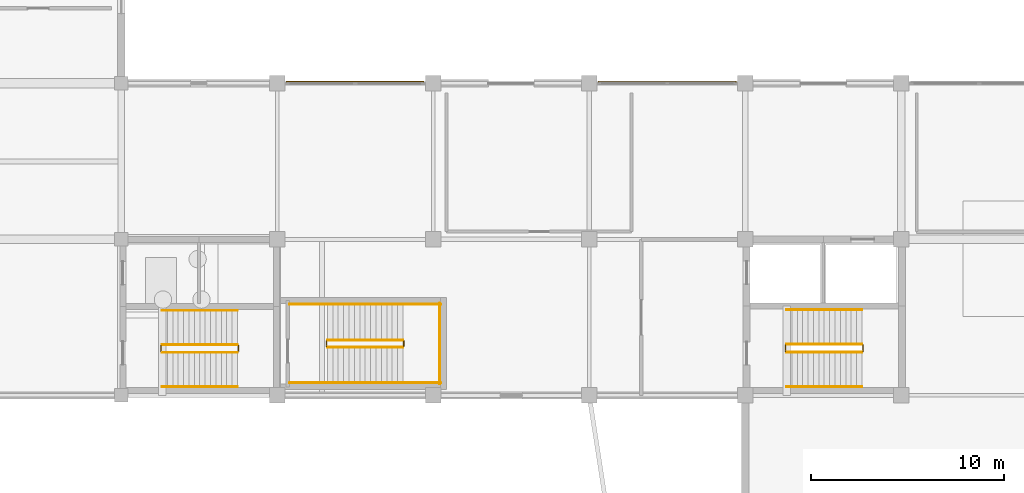
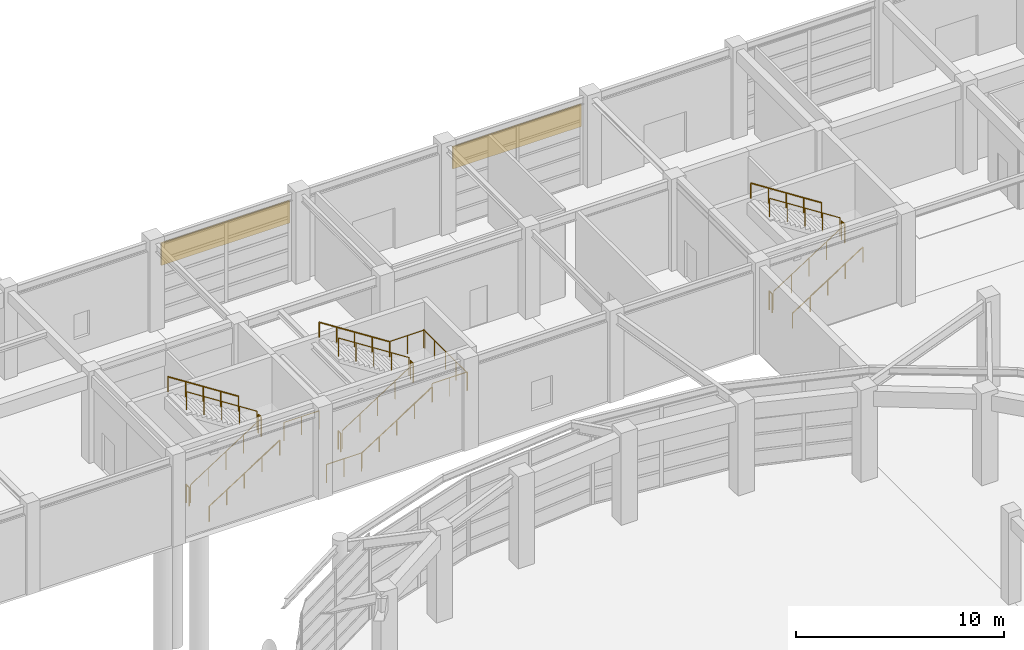
# One storey, part 49 of 52: 23 railings, 2 shading devices.
"""IFC4 building model written with IfcOpenShell, lengths in metres."""

from ifc_helpers import new_model, si_unit, direction, frame, origin, origin_2d, place, context, subcontext, project, spatial, rectangle, circle, extrude, material, layer, layer_set, type_object, element, save


model = new_model("IFC4")

# Units and contexts
model_context = context("Model", 3, precision=1e-05, world=origin(), true_north=direction((0.0, 1.0)))
body_context = subcontext(model_context, "Body", "Model", "MODEL_VIEW")
ifc_project = project(units=[si_unit("LENGTHUNIT", "METRE"), si_unit("AREAUNIT", "SQUARE_METRE"), si_unit("VOLUMEUNIT", "CUBIC_METRE"), si_unit("PLANEANGLEUNIT", "RADIAN"), si_unit("MASSUNIT", "GRAM", prefix="KILO")], contexts=[model_context])

# Site, building, storey
site_placement = place(None, origin())
site = spatial("IfcSite", under=ifc_project, at=site_placement, CompositionType="ELEMENT")
building_placement = place(site_placement, origin())
building = spatial("IfcBuilding", under=site, at=building_placement, Name="Parian Resonance Hall", CompositionType="ELEMENT")
storey_placement = place(building_placement, origin())
storey = spatial("IfcBuildingStorey", under=building, at=storey_placement, Name="L00", CompositionType="ELEMENT", Elevation=0.0)

# Railings
ifc_material_1 = material(Name="Patinated bronze whiplash metalwork")
railing_type_1 = type_object("IfcRailingType", Name="RAIL-HALL-BAL-1120", PredefinedType="BALUSTRADE", material=ifc_material_1)
railing_1_placement = place(storey_placement, frame((35.010009765625, 75.409912109375, 0.179931640625)))
element("IfcRailing", 1, at=railing_1_placement, inside=storey, type_object=railing_type_1, Name="L00 ST-07 stair guard 1", PredefinedType="BALUSTRADE", context=body_context, shape_type="SweptSolid", body=[
    extrude(circle(Radius=0.02392578125, at=origin_2d()), frame((0.0, 0.0, 1.076171875), z_axis=(0.841171666519, 0.0, 0.540768182723), x_axis=(0.0, 1.0, 0.0)), (0.0, 0.0, 1.0), 4.66015625),
    extrude(circle(Radius=0.02099609375, at=origin_2d()), origin(), (0.0, 0.0, 1.0), 1.052001953125),
    extrude(circle(Radius=0.02099609375, at=origin_2d()), frame((0.97998046875, 0.0, 0.6298828125)), (0.0, 0.0, 1.0), 1.052001953125),
    extrude(circle(Radius=0.02099609375, at=origin_2d()), frame((1.9599609375, 0.0, 1.260009765625)), (0.0, 0.0, 1.0), 1.052001953125),
    extrude(circle(Radius=0.02099609375, at=origin_2d()), frame((2.93994140625, 0.0, 1.89013671875)), (0.0, 0.0, 1.0), 1.052001953125),
    extrude(circle(Radius=0.02099609375, at=origin_2d()), frame((3.919921875, 0.0, 2.52001953125)), (0.0, 0.0, 1.0), 1.052001953125),
])
railing_2_placement = place(storey_placement, frame((38.97998046875, 75.4599609375, 2.699951171875)))
element("IfcRailing", 2, at=railing_2_placement, inside=storey, type_object=railing_type_1, Name="L00 ST-07 stair guard 2", PredefinedType="BALUSTRADE", context=body_context, shape_type="SweptSolid", body=[
    extrude(circle(Radius=0.02392578125, at=origin_2d()), frame((0.0, 0.0, 1.076171875), z_axis=(0.0, 1.0, 0.0), x_axis=(-1.0, 0.0, 0.0)), (0.0, 0.0, 1.0), 0.260009765625),
    extrude(circle(Radius=0.02099609375, at=origin_2d()), origin(), (0.0, 0.0, 1.0), 1.052001953125),
    extrude(circle(Radius=0.02099609375, at=origin_2d()), frame((0.0, 0.260009765625, 0.0)), (0.0, 0.0, 1.0), 1.052001953125),
])
for number, where, name in (
    (3, (38.929931640625, 73.550048828125, 2.699951171875), "L00 ST-07 stair guard 3"),
    (4, (38.929931640625, 77.6298828125, 2.699951171875), "L00 ST-07 stair guard 4"),
):
    element("IfcRailing", number, at=place(storey_placement, frame(where)), inside=storey, type_object=railing_type_1, Name=name, PredefinedType="BALUSTRADE", context=body_context, shape_type="SweptSolid", body=[
        extrude(circle(Radius=0.02392578125, at=origin_2d()), frame((0.0, 0.0, 1.076171875), z_axis=(1.0, 0.0, 0.0), x_axis=(0.0, 1.0, 0.0)), (0.0, 0.0, 1.0), 1.9599609375),
        extrude(circle(Radius=0.02099609375, at=origin_2d()), origin(), (0.0, 0.0, 1.0), 1.052001953125),
        extrude(circle(Radius=0.02099609375, at=origin_2d()), frame((0.97998046875, 0.0, 0.0)), (0.0, 0.0, 1.0), 1.052001953125),
        extrude(circle(Radius=0.02099609375, at=origin_2d()), frame((1.9599609375, 0.0, 0.0)), (0.0, 0.0, 1.0), 1.052001953125),
    ])
railing_3_placement = place(storey_placement, frame((40.840087890625, 73.5, 2.699951171875)))
element("IfcRailing", 5, at=railing_3_placement, inside=storey, type_object=railing_type_1, Name="L00 ST-07 stair guard 5", PredefinedType="BALUSTRADE", context=body_context, shape_type="SweptSolid", body=[
    extrude(circle(Radius=0.02392578125, at=origin_2d()), frame((0.0, 0.0, 1.076171875), z_axis=(0.0, 1.0, 0.0), x_axis=(-1.0, 0.0, 0.0)), (0.0, 0.0, 1.0), 4.179931640625),
    extrude(circle(Radius=0.02099609375, at=origin_2d()), origin(), (0.0, 0.0, 1.0), 1.052001953125),
    extrude(circle(Radius=0.02099609375, at=origin_2d()), frame((0.0, 1.044921875, 0.0)), (0.0, 0.0, 1.0), 1.052001953125),
    extrude(circle(Radius=0.02099609375, at=origin_2d()), frame((0.0, 2.08984375, 0.0)), (0.0, 0.0, 1.0), 1.052001953125),
    extrude(circle(Radius=0.02099609375, at=origin_2d()), frame((0.0, 3.135009765625, 0.0)), (0.0, 0.0, 1.0), 1.052001953125),
    extrude(circle(Radius=0.02099609375, at=origin_2d()), frame((0.0, 4.179931640625, 0.0)), (0.0, 0.0, 1.0), 1.052001953125),
])
railing_4_placement = place(storey_placement, frame((38.929931640625, 75.77001953125, 2.8798828125)))
element("IfcRailing", 6, at=railing_4_placement, inside=storey, type_object=railing_type_1, Name="L00 ST-07 stair guard 6", PredefinedType="BALUSTRADE", context=body_context, shape_type="SweptSolid", body=[
    extrude(circle(Radius=0.02392578125, at=origin_2d()), frame((0.0, 0.0, 1.076171875), z_axis=(-0.841171666519, 0.0, 0.540768182723), x_axis=(0.0, -1.0, 0.0)), (0.0, 0.0, 1.0), 4.66015625),
    extrude(circle(Radius=0.02099609375, at=origin_2d()), origin(), (0.0, 0.0, 1.0), 1.052001953125),
    extrude(circle(Radius=0.02099609375, at=origin_2d()), frame((-0.97998046875, 0.0, 0.6298828125)), (0.0, 0.0, 1.0), 1.052001953125),
    extrude(circle(Radius=0.02099609375, at=origin_2d()), frame((-1.9599609375, 0.0, 1.260009765625)), (0.0, 0.0, 1.0), 1.052001953125),
    extrude(circle(Radius=0.02099609375, at=origin_2d()), frame((-2.93994140625, 0.0, 1.89013671875)), (0.0, 0.0, 1.0), 1.052001953125),
    extrude(circle(Radius=0.02099609375, at=origin_2d()), frame((-3.919921875, 0.0, 2.52001953125)), (0.0, 0.0, 1.0), 1.052001953125),
])
railing_5_placement = place(storey_placement, frame((34.9599609375, 75.4599609375, 0.0)))
element("IfcRailing", 7, at=railing_5_placement, inside=storey, type_object=railing_type_1, Name="L00 ST-07 stair guard 7", PredefinedType="BALUSTRADE", context=body_context, shape_type="SweptSolid", body=[
    extrude(circle(Radius=0.02392578125, at=origin_2d()), frame((0.0, 0.0, 1.076171875), z_axis=(0.0, 1.0, 0.0), x_axis=(-1.0, 0.0, 0.0)), (0.0, 0.0, 1.0), 0.260009765625),
    extrude(circle(Radius=0.02099609375, at=origin_2d()), origin(), (0.0, 0.0, 1.0), 1.052001953125),
    extrude(circle(Radius=0.02099609375, at=origin_2d()), frame((0.0, 0.260009765625, 0.0)), (0.0, 0.0, 1.0), 1.052001953125),
])
for number, where, name in (
    (8, (33.050048828125, 73.550048828125, 0.0), "L00 ST-07 stair guard 8"),
    (9, (33.050048828125, 77.6298828125, 0.0), "L00 ST-07 stair guard 9"),
):
    element("IfcRailing", number, at=place(storey_placement, frame(where)), inside=storey, type_object=railing_type_1, Name=name, PredefinedType="BALUSTRADE", context=body_context, shape_type="SweptSolid", body=[
        extrude(circle(Radius=0.02392578125, at=origin_2d()), frame((0.0, 0.0, 1.076171875), z_axis=(1.0, 0.0, 0.0), x_axis=(0.0, 1.0, 0.0)), (0.0, 0.0, 1.0), 1.9599609375),
        extrude(circle(Radius=0.02099609375, at=origin_2d()), origin(), (0.0, 0.0, 1.0), 1.052001953125),
        extrude(circle(Radius=0.02099609375, at=origin_2d()), frame((0.97998046875, 0.0, 0.0)), (0.0, 0.0, 1.0), 1.052001953125),
        extrude(circle(Radius=0.02099609375, at=origin_2d()), frame((1.9599609375, 0.0, 0.0)), (0.0, 0.0, 1.0), 1.052001953125),
    ])
ifc_material_2 = material(Name="Patinated bronze whiplash metalwork")
railing_type_2 = type_object("IfcRailingType", Name="RAIL-STAIR-GRD-1100", PredefinedType="GUARDRAIL", material=ifc_material_2)
railing_6_placement = place(storey_placement, frame((58.840087890625, 75.14990234375, 0.179931640625)))
element("IfcRailing", 10, at=railing_6_placement, inside=storey, type_object=railing_type_2, Name="L00 ST-01 stair guard 1", PredefinedType="GUARDRAIL", context=body_context, shape_type="SweptSolid", body=[
    extrude(circle(Radius=0.02392578125, at=origin_2d()), frame((0.0, 0.0, 1.076171875), z_axis=(0.841171666519, 0.0, 0.540768182723), x_axis=(0.0, 1.0, 0.0)), (0.0, 0.0, 1.0), 4.66015625),
    extrude(circle(Radius=0.02099609375, at=origin_2d()), origin(), (0.0, 0.0, 1.0), 1.052001953125),
    extrude(circle(Radius=0.02099609375, at=origin_2d()), frame((0.97998046875, 0.0, 0.6298828125)), (0.0, 0.0, 1.0), 1.052001953125),
    extrude(circle(Radius=0.02099609375, at=origin_2d()), frame((1.9599609375, 0.0, 1.260009765625)), (0.0, 0.0, 1.0), 1.052001953125),
    extrude(circle(Radius=0.02099609375, at=origin_2d()), frame((2.93994140625, 0.0, 1.89013671875)), (0.0, 0.0, 1.0), 1.052001953125),
    extrude(circle(Radius=0.02099609375, at=origin_2d()), frame((3.919921875, 0.0, 2.52001953125)), (0.0, 0.0, 1.0), 1.052001953125),
])
railing_7_placement = place(storey_placement, frame((62.81005859375, 75.199951171875, 2.699951171875)))
element("IfcRailing", 11, at=railing_7_placement, inside=storey, type_object=railing_type_2, Name="L00 ST-01 stair guard 2", PredefinedType="GUARDRAIL", context=body_context, shape_type="SweptSolid", body=[
    extrude(circle(Radius=0.02392578125, at=origin_2d()), frame((0.0, 0.0, 1.076171875), z_axis=(0.0, 1.0, 0.0), x_axis=(-1.0, 0.0, 0.0)), (0.0, 0.0, 1.0), 0.300048828125),
    extrude(circle(Radius=0.02099609375, at=origin_2d()), origin(), (0.0, 0.0, 1.0), 1.052001953125),
    extrude(circle(Radius=0.02099609375, at=origin_2d()), frame((0.0, 0.300048828125, 0.0)), (0.0, 0.0, 1.0), 1.052001953125),
])
railing_8_placement = place(storey_placement, frame((62.760009765625, 75.550048828125, 2.8798828125)))
element("IfcRailing", 12, at=railing_8_placement, inside=storey, type_object=railing_type_2, Name="L00 ST-01 stair guard 3", PredefinedType="GUARDRAIL", context=body_context, shape_type="SweptSolid", body=[
    extrude(circle(Radius=0.02392578125, at=origin_2d()), frame((0.0, 0.0, 1.076171875), z_axis=(-0.841171666519, 0.0, 0.540768182723), x_axis=(0.0, -1.0, 0.0)), (0.0, 0.0, 1.0), 4.66015625),
    extrude(circle(Radius=0.02099609375, at=origin_2d()), origin(), (0.0, 0.0, 1.0), 1.052001953125),
    extrude(circle(Radius=0.02099609375, at=origin_2d()), frame((-0.97998046875, 0.0, 0.6298828125)), (0.0, 0.0, 1.0), 1.052001953125),
    extrude(circle(Radius=0.02099609375, at=origin_2d()), frame((-1.9599609375, 0.0, 1.260009765625)), (0.0, 0.0, 1.0), 1.052001953125),
    extrude(circle(Radius=0.02099609375, at=origin_2d()), frame((-2.93994140625, 0.0, 1.89013671875)), (0.0, 0.0, 1.0), 1.052001953125),
    extrude(circle(Radius=0.02099609375, at=origin_2d()), frame((-3.919921875, 0.0, 2.52001953125)), (0.0, 0.0, 1.0), 1.052001953125),
])
railing_9_placement = place(storey_placement, frame((58.7900390625, 75.199951171875, 0.0)))
element("IfcRailing", 13, at=railing_9_placement, inside=storey, type_object=railing_type_2, Name="L00 ST-01 stair guard 4", PredefinedType="GUARDRAIL", context=body_context, shape_type="SweptSolid", body=[
    extrude(circle(Radius=0.02392578125, at=origin_2d()), frame((0.0, 0.0, 1.076171875), z_axis=(0.0, 1.0, 0.0), x_axis=(-1.0, 0.0, 0.0)), (0.0, 0.0, 1.0), 0.300048828125),
    extrude(circle(Radius=0.02099609375, at=origin_2d()), origin(), (0.0, 0.0, 1.0), 1.052001953125),
    extrude(circle(Radius=0.02099609375, at=origin_2d()), frame((0.0, 0.300048828125, 0.0)), (0.0, 0.0, 1.0), 1.052001953125),
])
railing_10_placement = place(storey_placement, frame((26.419921875, 75.1298828125, 0.179931640625)))
element("IfcRailing", 14, at=railing_10_placement, inside=storey, type_object=railing_type_2, Name="L00 ST-04 stair guard 1", PredefinedType="GUARDRAIL", context=body_context, shape_type="SweptSolid", body=[
    extrude(circle(Radius=0.02392578125, at=origin_2d()), frame((0.0, 0.0, 1.076171875), z_axis=(0.841186985886, 0.0, 0.540744352514), x_axis=(0.0, 1.0, 0.0)), (0.0, 0.0, 1.0), 4.660400390625),
    extrude(circle(Radius=0.02099609375, at=origin_2d()), origin(), (0.0, 0.0, 1.0), 1.052001953125),
    extrude(circle(Radius=0.02099609375, at=origin_2d()), frame((0.97998046875, 0.0, 0.6298828125)), (0.0, 0.0, 1.0), 1.052001953125),
    extrude(circle(Radius=0.02099609375, at=origin_2d()), frame((1.9599609375, 0.0, 1.260009765625)), (0.0, 0.0, 1.0), 1.052001953125),
    extrude(circle(Radius=0.02099609375, at=origin_2d()), frame((2.940185546875, 0.0, 1.89013671875)), (0.0, 0.0, 1.0), 1.052001953125),
    extrude(circle(Radius=0.02099609375, at=origin_2d()), frame((3.920166015625, 0.0, 2.52001953125)), (0.0, 0.0, 1.0), 1.052001953125),
])
railing_11_placement = place(storey_placement, frame((30.389892578125, 75.179931640625, 2.699951171875)))
element("IfcRailing", 15, at=railing_11_placement, inside=storey, type_object=railing_type_2, Name="L00 ST-04 stair guard 2", PredefinedType="GUARDRAIL", context=body_context, shape_type="SweptSolid", body=[
    extrude(circle(Radius=0.02392578125, at=origin_2d()), frame((0.0, 0.0, 1.076171875), z_axis=(0.0, 1.0, 0.0), x_axis=(-1.0, 0.0, 0.0)), (0.0, 0.0, 1.0), 0.300048828125),
    extrude(circle(Radius=0.02099609375, at=origin_2d()), origin(), (0.0, 0.0, 1.0), 1.052001953125),
    extrude(circle(Radius=0.02099609375, at=origin_2d()), frame((0.0, 0.300048828125, 0.0)), (0.0, 0.0, 1.0), 1.052001953125),
])
railing_12_placement = place(storey_placement, frame((30.340087890625, 75.530029296875, 2.8798828125)))
element("IfcRailing", 16, at=railing_12_placement, inside=storey, type_object=railing_type_2, Name="L00 ST-04 stair guard 3", PredefinedType="GUARDRAIL", context=body_context, shape_type="SweptSolid", body=[
    extrude(circle(Radius=0.02392578125, at=origin_2d()), frame((0.0, 0.0, 1.076171875), z_axis=(-0.841186985886, 0.0, 0.540744352514), x_axis=(0.0, -1.0, 0.0)), (0.0, 0.0, 1.0), 4.660400390625),
    extrude(circle(Radius=0.02099609375, at=origin_2d()), origin(), (0.0, 0.0, 1.0), 1.052001953125),
    extrude(circle(Radius=0.02099609375, at=origin_2d()), frame((-0.97998046875, 0.0, 0.6298828125)), (0.0, 0.0, 1.0), 1.052001953125),
    extrude(circle(Radius=0.02099609375, at=origin_2d()), frame((-1.9599609375, 0.0, 1.260009765625)), (0.0, 0.0, 1.0), 1.052001953125),
    extrude(circle(Radius=0.02099609375, at=origin_2d()), frame((-2.940185546875, 0.0, 1.89013671875)), (0.0, 0.0, 1.0), 1.052001953125),
    extrude(circle(Radius=0.02099609375, at=origin_2d()), frame((-3.920166015625, 0.0, 2.52001953125)), (0.0, 0.0, 1.0), 1.052001953125),
])
railing_13_placement = place(storey_placement, frame((26.3701171875, 75.179931640625, 0.0)))
element("IfcRailing", 17, at=railing_13_placement, inside=storey, type_object=railing_type_2, Name="L00 ST-04 stair guard 4", PredefinedType="GUARDRAIL", context=body_context, shape_type="SweptSolid", body=[
    extrude(circle(Radius=0.02392578125, at=origin_2d()), frame((0.0, 0.0, 1.076171875), z_axis=(0.0, 1.0, 0.0), x_axis=(-1.0, 0.0, 0.0)), (0.0, 0.0, 1.0), 0.300048828125),
    extrude(circle(Radius=0.02099609375, at=origin_2d()), origin(), (0.0, 0.0, 1.0), 1.052001953125),
    extrude(circle(Radius=0.02099609375, at=origin_2d()), frame((0.0, 0.300048828125, 0.0)), (0.0, 0.0, 1.0), 1.052001953125),
])
ifc_material_3 = material(Name="Patinated bronze whiplash metalwork")
railing_type_3 = type_object("IfcRailingType", Name="RAIL-STAIR-HR-900", PredefinedType="HANDRAIL", material=ifc_material_3)
railing_14_placement = place(storey_placement, frame((58.840087890625, 73.35009765625, 0.179931640625)))
element("IfcRailing", 18, at=railing_14_placement, inside=storey, type_object=railing_type_3, Name="L00 ST-01 stair handrail 1", PredefinedType="HANDRAIL", context=body_context, shape_type="SweptSolid", body=[
    extrude(circle(Radius=0.02392578125, at=origin_2d()), frame((0.0, 0.0, 0.8759765625), z_axis=(0.841171666519, 0.0, 0.540768182723), x_axis=(0.0, 1.0, 0.0)), (0.0, 0.0, 1.0), 4.66015625),
    extrude(circle(Radius=0.02099609375, at=origin_2d()), origin(), (0.0, 0.0, 1.0), 0.851806640625),
    extrude(circle(Radius=0.02099609375, at=origin_2d()), frame((0.97998046875, 0.0, 0.6298828125)), (0.0, 0.0, 1.0), 0.851806640625),
    extrude(circle(Radius=0.02099609375, at=origin_2d()), frame((1.9599609375, 0.0, 1.260009765625)), (0.0, 0.0, 1.0), 0.851806640625),
    extrude(circle(Radius=0.02099609375, at=origin_2d()), frame((2.93994140625, 0.0, 1.89013671875)), (0.0, 0.0, 1.0), 0.851806640625),
    extrude(circle(Radius=0.02099609375, at=origin_2d()), frame((3.919921875, 0.0, 2.52001953125)), (0.0, 0.0, 1.0), 0.851806640625),
])
railing_15_placement = place(storey_placement, frame((62.760009765625, 77.35009765625, 2.8798828125)))
element("IfcRailing", 19, at=railing_15_placement, inside=storey, type_object=railing_type_3, Name="L00 ST-01 stair handrail 2", PredefinedType="HANDRAIL", context=body_context, shape_type="SweptSolid", body=[
    extrude(circle(Radius=0.02392578125, at=origin_2d()), frame((0.0, 0.0, 0.8759765625), z_axis=(-0.841171666519, 0.0, 0.540768182723), x_axis=(0.0, -1.0, 0.0)), (0.0, 0.0, 1.0), 4.66015625),
    extrude(circle(Radius=0.02099609375, at=origin_2d()), origin(), (0.0, 0.0, 1.0), 0.851806640625),
    extrude(circle(Radius=0.02099609375, at=origin_2d()), frame((-0.97998046875, 0.0, 0.6298828125)), (0.0, 0.0, 1.0), 0.851806640625),
    extrude(circle(Radius=0.02099609375, at=origin_2d()), frame((-1.9599609375, 0.0, 1.260009765625)), (0.0, 0.0, 1.0), 0.851806640625),
    extrude(circle(Radius=0.02099609375, at=origin_2d()), frame((-2.93994140625, 0.0, 1.89013671875)), (0.0, 0.0, 1.0), 0.851806640625),
    extrude(circle(Radius=0.02099609375, at=origin_2d()), frame((-3.919921875, 0.0, 2.52001953125)), (0.0, 0.0, 1.0), 0.851806640625),
])
railing_16_placement = place(storey_placement, frame((26.419921875, 73.35009765625, 0.179931640625)))
element("IfcRailing", 20, at=railing_16_placement, inside=storey, type_object=railing_type_3, Name="L00 ST-04 stair handrail 1", PredefinedType="HANDRAIL", context=body_context, shape_type="SweptSolid", body=[
    extrude(circle(Radius=0.02392578125, at=origin_2d()), frame((0.0, 0.0, 0.8759765625), z_axis=(0.841186985886, 0.0, 0.540744352514), x_axis=(0.0, 1.0, 0.0)), (0.0, 0.0, 1.0), 4.660400390625),
    extrude(circle(Radius=0.02099609375, at=origin_2d()), origin(), (0.0, 0.0, 1.0), 0.851806640625),
    extrude(circle(Radius=0.02099609375, at=origin_2d()), frame((0.97998046875, 0.0, 0.6298828125)), (0.0, 0.0, 1.0), 0.851806640625),
    extrude(circle(Radius=0.02099609375, at=origin_2d()), frame((1.9599609375, 0.0, 1.260009765625)), (0.0, 0.0, 1.0), 0.851806640625),
    extrude(circle(Radius=0.02099609375, at=origin_2d()), frame((2.940185546875, 0.0, 1.89013671875)), (0.0, 0.0, 1.0), 0.851806640625),
    extrude(circle(Radius=0.02099609375, at=origin_2d()), frame((3.920166015625, 0.0, 2.52001953125)), (0.0, 0.0, 1.0), 0.851806640625),
])
railing_17_placement = place(storey_placement, frame((30.340087890625, 77.31005859375, 2.8798828125)))
element("IfcRailing", 21, at=railing_17_placement, inside=storey, type_object=railing_type_3, Name="L00 ST-04 stair handrail 2", PredefinedType="HANDRAIL", context=body_context, shape_type="SweptSolid", body=[
    extrude(circle(Radius=0.02392578125, at=origin_2d()), frame((0.0, 0.0, 0.8759765625), z_axis=(-0.841186985886, 0.0, 0.540744352514), x_axis=(0.0, -1.0, 0.0)), (0.0, 0.0, 1.0), 4.660400390625),
    extrude(circle(Radius=0.02099609375, at=origin_2d()), origin(), (0.0, 0.0, 1.0), 0.851806640625),
    extrude(circle(Radius=0.02099609375, at=origin_2d()), frame((-0.97998046875, 0.0, 0.6298828125)), (0.0, 0.0, 1.0), 0.851806640625),
    extrude(circle(Radius=0.02099609375, at=origin_2d()), frame((-1.9599609375, 0.0, 1.260009765625)), (0.0, 0.0, 1.0), 0.851806640625),
    extrude(circle(Radius=0.02099609375, at=origin_2d()), frame((-2.940185546875, 0.0, 1.89013671875)), (0.0, 0.0, 1.0), 0.851806640625),
    extrude(circle(Radius=0.02099609375, at=origin_2d()), frame((-3.920166015625, 0.0, 2.52001953125)), (0.0, 0.0, 1.0), 0.851806640625),
])
railing_18_placement = place(storey_placement, frame((35.010009765625, 73.550048828125, 0.179931640625)))
element("IfcRailing", 22, at=railing_18_placement, inside=storey, type_object=railing_type_3, Name="L00 ST-07 stair handrail 1", PredefinedType="HANDRAIL", context=body_context, shape_type="SweptSolid", body=[
    extrude(circle(Radius=0.02392578125, at=origin_2d()), frame((0.0, 0.0, 0.8759765625), z_axis=(0.841171666519, 0.0, 0.540768182723), x_axis=(0.0, 1.0, 0.0)), (0.0, 0.0, 1.0), 4.66015625),
    extrude(circle(Radius=0.02099609375, at=origin_2d()), origin(), (0.0, 0.0, 1.0), 0.851806640625),
    extrude(circle(Radius=0.02099609375, at=origin_2d()), frame((0.97998046875, 0.0, 0.6298828125)), (0.0, 0.0, 1.0), 0.851806640625),
    extrude(circle(Radius=0.02099609375, at=origin_2d()), frame((1.9599609375, 0.0, 1.260009765625)), (0.0, 0.0, 1.0), 0.851806640625),
    extrude(circle(Radius=0.02099609375, at=origin_2d()), frame((2.93994140625, 0.0, 1.89013671875)), (0.0, 0.0, 1.0), 0.851806640625),
    extrude(circle(Radius=0.02099609375, at=origin_2d()), frame((3.919921875, 0.0, 2.52001953125)), (0.0, 0.0, 1.0), 0.851806640625),
])
railing_19_placement = place(storey_placement, frame((38.929931640625, 77.6298828125, 2.8798828125)))
element("IfcRailing", 23, at=railing_19_placement, inside=storey, type_object=railing_type_3, Name="L00 ST-07 stair handrail 2", PredefinedType="HANDRAIL", context=body_context, shape_type="SweptSolid", body=[
    extrude(circle(Radius=0.02392578125, at=origin_2d()), frame((0.0, 0.0, 0.8759765625), z_axis=(-0.841171666519, 0.0, 0.540768182723), x_axis=(0.0, -1.0, 0.0)), (0.0, 0.0, 1.0), 4.66015625),
    extrude(circle(Radius=0.02099609375, at=origin_2d()), origin(), (0.0, 0.0, 1.0), 0.851806640625),
    extrude(circle(Radius=0.02099609375, at=origin_2d()), frame((-0.97998046875, 0.0, 0.6298828125)), (0.0, 0.0, 1.0), 0.851806640625),
    extrude(circle(Radius=0.02099609375, at=origin_2d()), frame((-1.9599609375, 0.0, 1.260009765625)), (0.0, 0.0, 1.0), 0.851806640625),
    extrude(circle(Radius=0.02099609375, at=origin_2d()), frame((-2.93994140625, 0.0, 1.89013671875)), (0.0, 0.0, 1.0), 0.851806640625),
    extrude(circle(Radius=0.02099609375, at=origin_2d()), frame((-3.919921875, 0.0, 2.52001953125)), (0.0, 0.0, 1.0), 0.851806640625),
])

# Shading devices
ifc_material_4 = material(Name="Patinated bronze persiana louver")
ifc_layer = layer(ifc_material_4, 0.080078125)
ifc_layer_set = layer_set([ifc_layer], Name="Patinated bronze persiana louver")
shading_device_type = type_object("IfcShadingDeviceType", Name="SHD-PERSIANA-JAL", PredefinedType="JALOUSIE", material=ifc_layer_set)
for number, where, z_axis, x_axis, name in (
    (24, (36.449951171875, 89.172607421875, 3.376953125), (0.0, 0.0, 1.0), (1.0, 0.0, 0.0), "Bronze persiana storm jalousie L00-034"),
    (25, (52.64990234375, 89.16748046875, 3.376953125), (0.0, 0.0, 1.0), (1.0, 0.0, 0.0), "Bronze persiana storm jalousie L00-037"),
):
    element("IfcShadingDevice", number, at=place(storey_placement, frame(where, z_axis=z_axis, x_axis=x_axis)), inside=storey, type_object=shading_device_type, Name=name, PredefinedType="JALOUSIE", context=body_context, shape_type="SweptSolid", body=[
        extrude(rectangle(XDim=7.139892578125, YDim=0.080078125, at=origin_2d()), origin(), (0.0, 0.0, 1.0), 1.300048828125),
    ])

save(model, "model.ifc")
